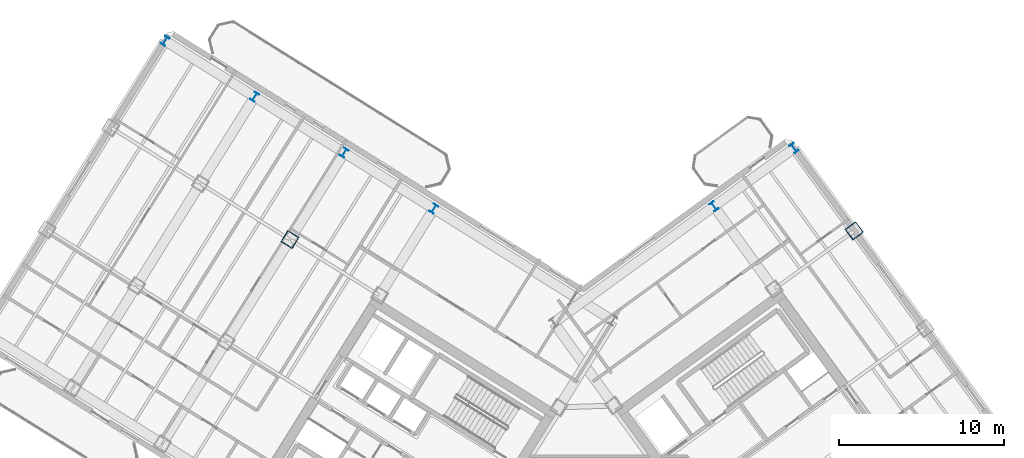
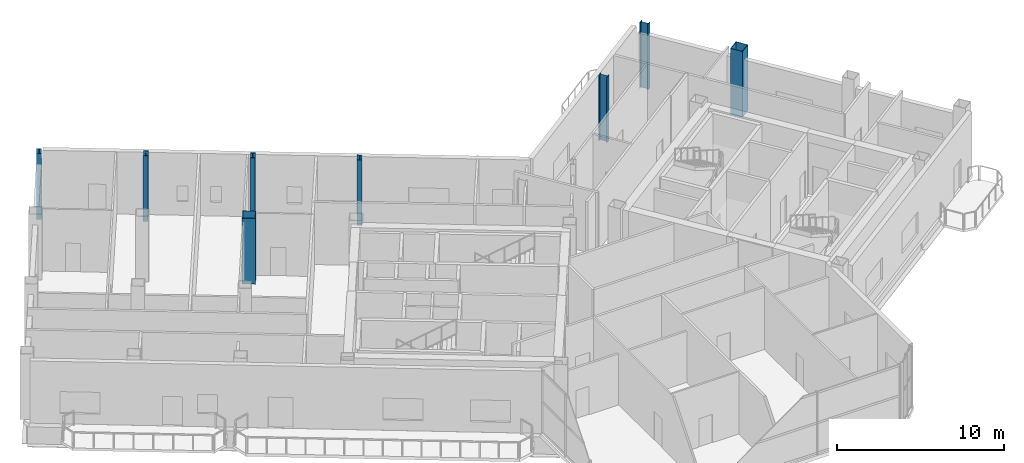
# One storey, part 3 of 21: 8 columns.
"""IFC4 building model written with IfcOpenShell, lengths in metres."""

from ifc_helpers import new_model, si_unit, direction, frame, origin, origin_2d, place, context, subcontext, project, spatial, hollow_rectangle, i_section, extrude, source, transform, mapped, material, material_profile, profile_set, type_object, element, save


model = new_model("IFC4")

# Units and contexts
model_context = context("Model", 3, precision=1e-05, world=origin(), true_north=direction((0.0, 1.0)))
body_context = subcontext(model_context, "Body", "Model", "MODEL_VIEW")
ifc_project = project(units=[si_unit("LENGTHUNIT", "METRE"), si_unit("AREAUNIT", "SQUARE_METRE"), si_unit("VOLUMEUNIT", "CUBIC_METRE"), si_unit("PLANEANGLEUNIT", "RADIAN"), si_unit("MASSUNIT", "GRAM", prefix="KILO")], contexts=[model_context])

# Site, building, storey
site_placement = place(None, origin())
site = spatial("IfcSite", under=ifc_project, at=site_placement, CompositionType="ELEMENT")
building_placement = place(site_placement, origin())
building = spatial("IfcBuilding", under=site, at=building_placement, Name="Tlacorven Tower", CompositionType="ELEMENT")
storey_placement = place(building_placement, frame((0.0, 0.0, 179.39990234375)))
storey = spatial("IfcBuildingStorey", under=building, at=storey_placement, Name="L45", CompositionType="ELEMENT", Elevation=179.39990234375)

# Columns
ifc_material = material(Name="Steel S460M", Category="steel")
ifc_material_profile_1 = material_profile(ifc_material, i_section(OverallWidth=0.300048828125, OverallDepth=0.550048828125, WebThickness=0.014892578125, FlangeThickness=0.029052734375, at=origin_2d()), Name="HEB 550")
ifc_profile_set_1 = profile_set([ifc_material_profile_1], Name="Steel S460M")
column_type_1 = type_object("IfcColumnType", Name="COL-TWR-P2", PredefinedType="COLUMN", material=ifc_profile_set_1)
shared_shape_1 = source(origin(), body_context, "Body", "SweptSolid", [
    extrude(i_section(OverallWidth=0.300048828125, OverallDepth=0.550048828125, WebThickness=0.014892578125, FlangeThickness=0.029052734375, at=origin_2d()), origin(), (0.0, 0.0, 1.0), 4.800048828125),
])
for number, where, z_axis, x_axis, name in (
    (1, (33.21337890625, 36.50927734375, 0.0), (0.0, 0.0, 1.0), (-0.848048096156, 0.529919264233, 0.0), "L45 column COL-L45-W3-1"),
    (2, (27.785888671875, 39.900634765625, 0.0), (0.0, 0.0, 1.0), (-0.848048096156, 0.529919264233, 0.0), "L45 column COL-L45-W4-1"),
    (3, (22.3583984375, 43.292236328125, 0.0), (0.0, 0.0, 1.0), (-0.848048096156, 0.529919264233, 0.0), "L45 column COL-L45-W5-1"),
    (4, (16.930908203125, 46.68359375, 0.0), (0.0, 0.0, 1.0), (-0.848048096156, 0.529919264233, 0.0), "L45 column COL-L45-W6-1"),
    (5, (50.187744140625, 36.654296875, 0.0), (0.0, 0.0, 1.0), (0.809016994375, 0.587785252292, 0.0), "L45 column COL-L45-E3-4"),
    (6, (55.041748046875, 40.18115234375, 0.0), (0.0, 0.0, 1.0), (0.809016994375, 0.587785252292, 0.0), "L45 column COL-L45-E4-4"),
):
    element("IfcColumn", number, at=place(storey_placement, frame(where, z_axis=z_axis, x_axis=x_axis)), inside=storey, type_object=column_type_1, Name=name, PredefinedType="COLUMN", context=body_context, shape_type="MappedRepresentation", body=[
        mapped(shared_shape_1, transform((0.0, 0.0, 0.0), scale=1.0)),
    ])
ifc_material_profile_2 = material_profile(ifc_material, hollow_rectangle(XDim=0.800048828125, YDim=0.800048828125, WallThickness=0.031982421875, at=origin_2d()), Name="BOX 800X800X32")
ifc_profile_set_2 = profile_set([ifc_material_profile_2], Name="Steel S460M")
column_type_2 = type_object("IfcColumnType", Name="COL-TWR-S3", PredefinedType="COLUMN", material=ifc_profile_set_2)
shared_shape_2 = source(origin(), body_context, "Body", "SweptSolid", [
    extrude(hollow_rectangle(XDim=0.800048828125, YDim=0.800048828125, WallThickness=0.031982421875, at=origin_2d()), origin(), (0.0, 0.0, 1.0), 4.800048828125),
])
for number, where, z_axis, x_axis, name in (
    (7, (24.50048828125, 34.642822265625, 0.0), (0.0, 0.0, 1.0), (-0.848048096156, 0.529919264233, 0.0), "L45 column COL-L45-W4-2"),
    (8, (58.68603515625, 35.165283203125, 0.0), (0.0, 0.0, 1.0), (0.809016994375, 0.587785252292, 0.0), "L45 column COL-L45-E4-3"),
):
    element("IfcColumn", number, at=place(storey_placement, frame(where, z_axis=z_axis, x_axis=x_axis)), inside=storey, type_object=column_type_2, Name=name, PredefinedType="COLUMN", context=body_context, shape_type="MappedRepresentation", body=[
        mapped(shared_shape_2, transform((0.0, 0.0, 0.0), scale=1.0)),
    ])

save(model, "model.ifc")
